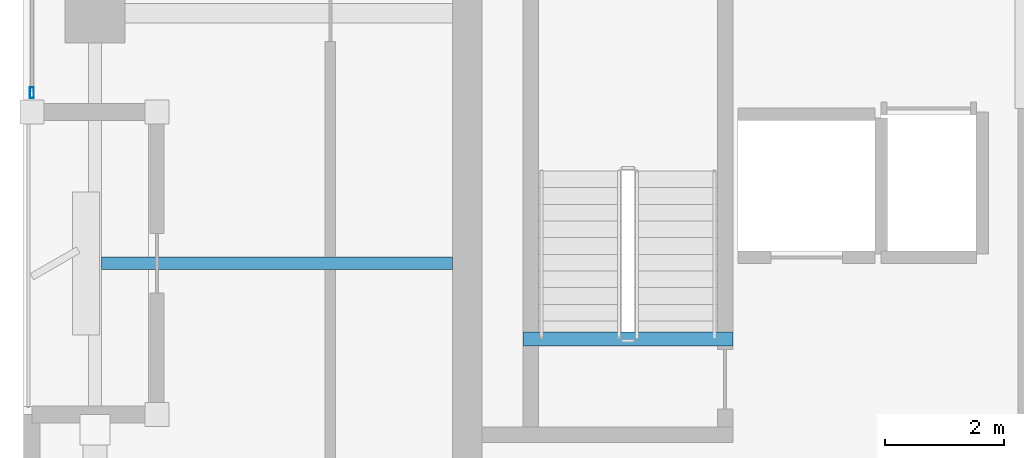
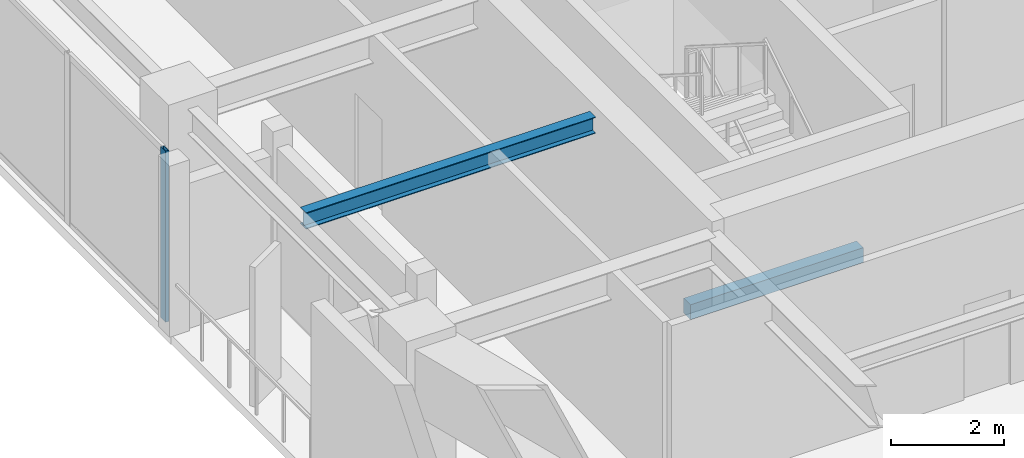
# One storey, part 2 of 15: 2 beams, 1 member, 1 element without a shape of its own.
"""IFC4 building model written with IfcOpenShell, lengths in metres."""

import ifcopenshell
import ifcopenshell.guid

model = None  # the IFC model being written
_history = None  # IfcOwnerHistory: only IFC2X3 demands one
_inside = {}  # id of a spatial element -> (the spatial element, [elements in it])
_under = {}  # id of a project, library or spatial element -> (it, [spatial elements below it])
_declared = {}  # id of a project -> (the project, [libraries it declares])
_typed = {}  # id of a type object -> (the type object, [elements of that type])
_made_of = {}  # id of a material, layer set ... -> (it, [elements and type objects made of it])


def new_model(schema):
    """Start an empty IFC model of exactly this schema.

    Asked for "IFC4X3", IfcOpenShell would pick the latest addendum, in which some entities
    have other attributes; the version numbers below select the first issue.
    IFC2X3 requires an IfcOwnerHistory on every rooted entity: one is made here for all.
    """
    global model, _history
    if schema == "IFC4X3":
        model = ifcopenshell.file(schema_version=(4, 3, 0, 0))
    else:
        model = ifcopenshell.file(schema=schema)
    _inside.clear()
    _under.clear()
    _declared.clear()
    _typed.clear()
    _made_of.clear()
    _history = None
    if model.schema == "IFC2X3":
        org = make("IfcOrganization", Name="unknown")
        user = make(
            "IfcPersonAndOrganization",
            ThePerson=make("IfcPerson", FamilyName="unknown"),
            TheOrganization=org,
        )
        app = make(
            "IfcApplication",
            ApplicationDeveloper=org,
            Version="unknown",
            ApplicationFullName="unknown",
            ApplicationIdentifier="unknown",
        )
        _history = make(
            "IfcOwnerHistory",
            OwningUser=user,
            OwningApplication=app,
            ChangeAction="ADDED",
            CreationDate=0,
        )
    return model


def make(cls, **values):
    """One entity of the class cls with the attributes given. An attribute that is None is left unset."""
    return model.create_entity(
        cls, **{name: value for name, value in values.items() if value is not None}
    )


def rooted(cls, **values):
    """An entity with a GlobalId (a new one), such as an element, a storey or a relation."""
    return make(cls, GlobalId=ifcopenshell.guid.new(), OwnerHistory=_history, **values)


def si_unit(unit_type, name, prefix=None):
    """IfcSIUnit, for example si_unit("LENGTHUNIT", "METRE", prefix="MILLI")."""
    return make("IfcSIUnit", UnitType=unit_type, Prefix=prefix, Name=name)


def assignment(units):
    """IfcUnitAssignment: the units of a project."""
    return None if units is None else make("IfcUnitAssignment", Units=units)


def point(xyz):
    """IfcCartesianPoint."""
    return None if xyz is None else make("IfcCartesianPoint", Coordinates=xyz)


def direction(xyz):
    """IfcDirection."""
    return None if xyz is None else make("IfcDirection", DirectionRatios=xyz)


def frame(location, z_axis=None, x_axis=None):
    """IfcAxis2Placement3D, a coordinate frame: its origin and axes. An axis left out is left unset."""
    return make(
        "IfcAxis2Placement3D",
        Location=point(location),
        Axis=direction(z_axis),
        RefDirection=direction(x_axis),
    )


def frame_2d(location, x_axis=None):
    """IfcAxis2Placement2D, a coordinate frame in the plane: its origin and x axis."""
    return make(
        "IfcAxis2Placement2D", Location=point(location), RefDirection=direction(x_axis)
    )


def origin():
    """The frame at (0, 0, 0) with its axes left unset."""
    return frame((0.0, 0.0, 0.0))


def origin_2d():
    """The frame at (0, 0) in the plane with its x axis left unset."""
    return frame_2d((0.0, 0.0))


def place(relative_to, where):
    """IfcLocalPlacement: puts the frame where relative to a parent placement (None: the world)."""
    return make(
        "IfcLocalPlacement", PlacementRelTo=relative_to, RelativePlacement=where
    )


def context(
    kind, dimensions, precision=None, world=None, true_north=None, identifier=None
):
    """IfcGeometricRepresentationContext, for example the 3D "Model" context."""
    return make(
        "IfcGeometricRepresentationContext",
        ContextIdentifier=identifier,
        ContextType=kind,
        CoordinateSpaceDimension=dimensions,
        Precision=precision,
        WorldCoordinateSystem=world,
        TrueNorth=true_north,
    )


def subcontext(parent, identifier, kind, view, scale=None):
    """IfcGeometricRepresentationSubContext, for example "Body" below "Model"."""
    return make(
        "IfcGeometricRepresentationSubContext",
        ContextIdentifier=identifier,
        ContextType=kind,
        ParentContext=parent,
        TargetScale=scale,
        TargetView=view,
    )


def project(units=None, contexts=None):
    """IfcProject with its units and contexts."""
    return rooted(
        "IfcProject",
        Name="project",
        RepresentationContexts=contexts,
        UnitsInContext=assignment(units),
    )


def spatial(cls, under=None, at=None, **own):
    """A site, building, storey or space (cls), placed at a placement, below another one or the project."""
    s = rooted(cls, ObjectPlacement=at, **own)
    if under is not None:
        _under.setdefault(under.id(), (under, []))[1].append(s)
    return s


def profile(cls, at=None, kind="AREA", **sizes):
    """A parametric profile (cls). Its sizes go by their IFC names, for example OverallWidth=200.0."""
    return make(cls, ProfileType=kind, Position=at, **sizes)


def rectangle(**sizes):
    """IfcRectangleProfileDef."""
    return profile("IfcRectangleProfileDef", **sizes)


def hollow_rectangle(**sizes):
    """IfcRectangleHollowProfileDef."""
    return profile("IfcRectangleHollowProfileDef", **sizes)


def i_section(**sizes):
    """IfcIShapeProfileDef."""
    return profile("IfcIShapeProfileDef", **sizes)


def extrude(swept, where, along, depth):
    """IfcExtrudedAreaSolid: the profile swept, set in the frame where, extruded along a direction by depth."""
    return make(
        "IfcExtrudedAreaSolid",
        SweptArea=swept,
        Position=where,
        ExtrudedDirection=direction(along),
        Depth=depth,
    )


def shape(context_of_items, identifier, shape_type, items):
    """IfcShapeRepresentation: the items that make up one representation, for example the "Body"."""
    return make(
        "IfcShapeRepresentation",
        ContextOfItems=context_of_items,
        RepresentationIdentifier=identifier,
        RepresentationType=shape_type,
        Items=items,
    )


def material(Name=None, Category=None):
    """IfcMaterial."""
    return make("IfcMaterial", Name=Name, Category=Category)


def layer(
    of_material, thickness, ventilated=None, Name=None, Category=None, Priority=None
):
    """IfcMaterialLayer: one layer of a wall or slab, of a material (None: an air gap)."""
    return make(
        "IfcMaterialLayer",
        Material=of_material,
        LayerThickness=thickness,
        IsVentilated=ventilated,
        Name=Name,
        Category=Category,
        Priority=Priority,
    )


def layer_set(layers, Name=None):
    """IfcMaterialLayerSet."""
    return make("IfcMaterialLayerSet", MaterialLayers=layers, LayerSetName=Name)


def material_profile(
    of_material, cross_section, Name=None, Category=None, Priority=None
):
    """IfcMaterialProfile: a cross section and its material."""
    return make(
        "IfcMaterialProfile",
        Name=Name,
        Material=of_material,
        Profile=cross_section,
        Priority=Priority,
        Category=Category,
    )


def profile_set(profiles, Name=None, composite=None):
    """IfcMaterialProfileSet."""
    return make(
        "IfcMaterialProfileSet",
        Name=Name,
        MaterialProfiles=profiles,
        CompositeProfile=composite,
    )


def made_of(thing, what):
    """Note that an element or type object is made of a material, layer set ...; save() writes the relation."""
    if what is not None:
        _made_of.setdefault(what.id(), (what, []))[1].append(thing)
    return thing


def type_object(cls, material=None, **own):
    """A type object (cls), such as IfcWallType, which elements share."""
    return made_of(rooted(cls, **own), material)


def element(
    cls,
    number,
    at=None,
    inside=None,
    cuts=None,
    type_object=None,
    material=None,
    context=None,
    identifier="Body",
    shape_type=None,
    held_by="IfcProductDefinitionShape",
    body=None,
    shapes=None,
    **own,
):
    """One element of the class cls, such as IfcWall. Its Tag is "e" and its number.

    at: its placement. inside: the storey or other place that contains it. cuts: it is an
    opening in that element (IfcRelVoidsElement). A single representation is given by context,
    identifier, shape_type and body (its items); several are given by shapes. held_by: the class
    of the entity that holds the representations. save() writes the other relations.
    """
    e = rooted(cls, Tag="e%d" % number, ObjectPlacement=at, **own)
    if body is not None:
        shapes = [shape(context, identifier, shape_type, body)]
    if shapes is not None:
        e.Representation = make(held_by, Representations=shapes)
    if inside is not None:
        _inside.setdefault(inside.id(), (inside, []))[1].append(e)
    if cuts is not None:
        rooted(
            "IfcRelVoidsElement", RelatingBuildingElement=cuts, RelatedOpeningElement=e
        )
    if type_object is not None:
        _typed.setdefault(type_object.id(), (type_object, []))[1].append(e)
    return made_of(e, material)


def aggregate(whole, parts):
    """IfcRelAggregates: a whole, such as a stair, and the parts it consists of."""
    return rooted("IfcRelAggregates", RelatingObject=whole, RelatedObjects=parts)


def save(model, path):
    """Write the relations noted so far, then the file.

    IfcRelAggregates (storeys below a building ...), IfcRelContainedInSpatialStructure (elements
    in a storey), IfcRelDefinesByType, IfcRelAssociatesMaterial and IfcRelDeclares: one each for
    every whole, place, type object, material and project.
    """
    for whole, parts in _under.values():
        aggregate(whole, parts)
    for where, things in _inside.values():
        rooted(
            "IfcRelContainedInSpatialStructure",
            RelatedElements=things,
            RelatingStructure=where,
        )
    for kind, things in _typed.values():
        rooted("IfcRelDefinesByType", RelatedObjects=things, RelatingType=kind)
    for what, things in _made_of.values():
        rooted("IfcRelAssociatesMaterial", RelatedObjects=things, RelatingMaterial=what)
    for by, libraries in _declared.values():
        rooted("IfcRelDeclares", RelatingContext=by, RelatedDefinitions=libraries)
    model.write(path)


model = new_model("IFC4")

# Units and contexts
model_context = context("Model", 3, precision=1e-05, world=origin(), true_north=direction((0.0, 1.0)))
body_context = subcontext(model_context, "Body", "Model", "MODEL_VIEW")
ifc_project = project(units=[si_unit("LENGTHUNIT", "METRE"), si_unit("AREAUNIT", "SQUARE_METRE"), si_unit("VOLUMEUNIT", "CUBIC_METRE"), si_unit("PLANEANGLEUNIT", "RADIAN"), si_unit("MASSUNIT", "GRAM", prefix="KILO")], contexts=[model_context])

# Site, building, storey
site_placement = place(None, origin())
site = spatial("IfcSite", under=ifc_project, at=site_placement, CompositionType="ELEMENT")
building_placement = place(site_placement, origin())
building = spatial("IfcBuilding", under=site, at=building_placement, Name="Kiyonajd Concourse Tower", CompositionType="ELEMENT")
storey_placement = place(building_placement, frame((0.0, 0.0, 274.5)))
storey = spatial("IfcBuildingStorey", under=building, at=storey_placement, Name="L69", CompositionType="ELEMENT", Elevation=274.5)

# Beams
ifc_material_1 = material(Name="Steel ASTM A992 Grade 50", Category="steel")
ifc_material_profile_1 = material_profile(ifc_material_1, i_section(OverallWidth=0.205078125, OverallDepth=0.35400390625, WebThickness=0.009521484375, FlangeThickness=0.016845703125, at=origin_2d()), Name="W360X79")
ifc_profile_set_1 = profile_set([ifc_material_profile_1], Name="Steel ASTM A992 Grade 50")
beam_type_1 = type_object("IfcBeamType", Name="BM-JST-360", PredefinedType="JOIST", material=ifc_profile_set_1)
beam_1_placement = place(storey_placement, frame((26.505615234375, 31.800048828125, 3.5029296875), z_axis=(1.0, 0.0, 0.0), x_axis=(0.0, 1.0, 0.0)))
element("IfcBeam", 1, at=beam_1_placement, inside=storey, type_object=beam_type_1, Name="L69 West Secondary Floor Joist", PredefinedType="JOIST", context=body_context, shape_type="SweptSolid", body=[
    extrude(i_section(OverallWidth=0.205078125, OverallDepth=0.35400390625, WebThickness=0.009521484375, FlangeThickness=0.016845703125, at=origin_2d()), origin(), (0.0, 0.0, 1.0), 5.894287109375),
])
ifc_material_2 = material(Name="Concrete C50/60", Category="concrete")
ifc_material_profile_2 = material_profile(ifc_material_2, rectangle(XDim=0.239990234375, YDim=0.320068359375, at=origin_2d()), Name="RCBM-240x320")
ifc_profile_set_2 = profile_set([ifc_material_profile_2], Name="Concrete C50/60")
beam_type_2 = type_object("IfcBeamType", Name="BM-LNT-250", PredefinedType="LINTEL", material=ifc_profile_set_2)
beam_2_placement = place(storey_placement, frame((33.590087890625, 30.530029296875, -0.159912109375), z_axis=(1.0, 0.0, 0.0), x_axis=(0.0, 1.0, 0.0)))
element("IfcBeam", 2, at=beam_2_placement, inside=storey, type_object=beam_type_2, Name="L69 Stair ST1 Threshold Support Beam", PredefinedType="LINTEL", context=body_context, shape_type="SweptSolid", body=[
    extrude(rectangle(XDim=0.239990234375, YDim=0.320068359375, at=origin_2d()), origin(), (0.0, 0.0, 1.0), 3.52001953125),
])

# Curtain wall, member
ifc_material_3 = material(Name="Thermally Broken Anodised Aluminium", Category="aluminium")
ifc_layer = layer(ifc_material_3, 0.179931640625)
ifc_layer_set = layer_set([ifc_layer], Name="Thermally Broken Anodised Aluminium")
curtain_wall_type = type_object("IfcCurtainWallType", Name="CW-SYS-04", PredefinedType="NOTDEFINED", material=ifc_layer_set)
curtain_wall_placement = place(storey_placement, origin())
curtain_wall = element("IfcCurtainWall", 3, at=curtain_wall_placement, inside=storey, type_object=curtain_wall_type, Name="L69 Unitised Curtain Wall CW4", PredefinedType="NOTDEFINED")
ifc_material_profile_3 = material_profile(ifc_material_3, hollow_rectangle(XDim=0.06494140625, YDim=0.179931640625, WallThickness=0.00390625, at=origin_2d()), Name="MULL-65x180")
ifc_profile_set_3 = profile_set([ifc_material_profile_3], Name="Thermally Broken Anodised Aluminium")
member_type = type_object("IfcMemberType", Name="MB-CW-MULL1", PredefinedType="MULLION", material=ifc_profile_set_3)
member_placement = place(storey_placement, frame((25.340087890625, 34.66259765625, 0.0), z_axis=(0.0, 0.0, 1.0), x_axis=(-1.0, 0.0, 0.0)))
member = element("IfcMember", 4, at=member_placement, type_object=member_type, Name="CW4 mullion 1", PredefinedType="MULLION", context=body_context, shape_type="SweptSolid", body=[
    extrude(hollow_rectangle(XDim=0.06494140625, YDim=0.179931640625, WallThickness=0.00390625, at=origin_2d()), origin(), (0.0, 0.0, 1.0), 3.679931640625),
])
aggregate(curtain_wall, [member])

save(model, "model.ifc")
